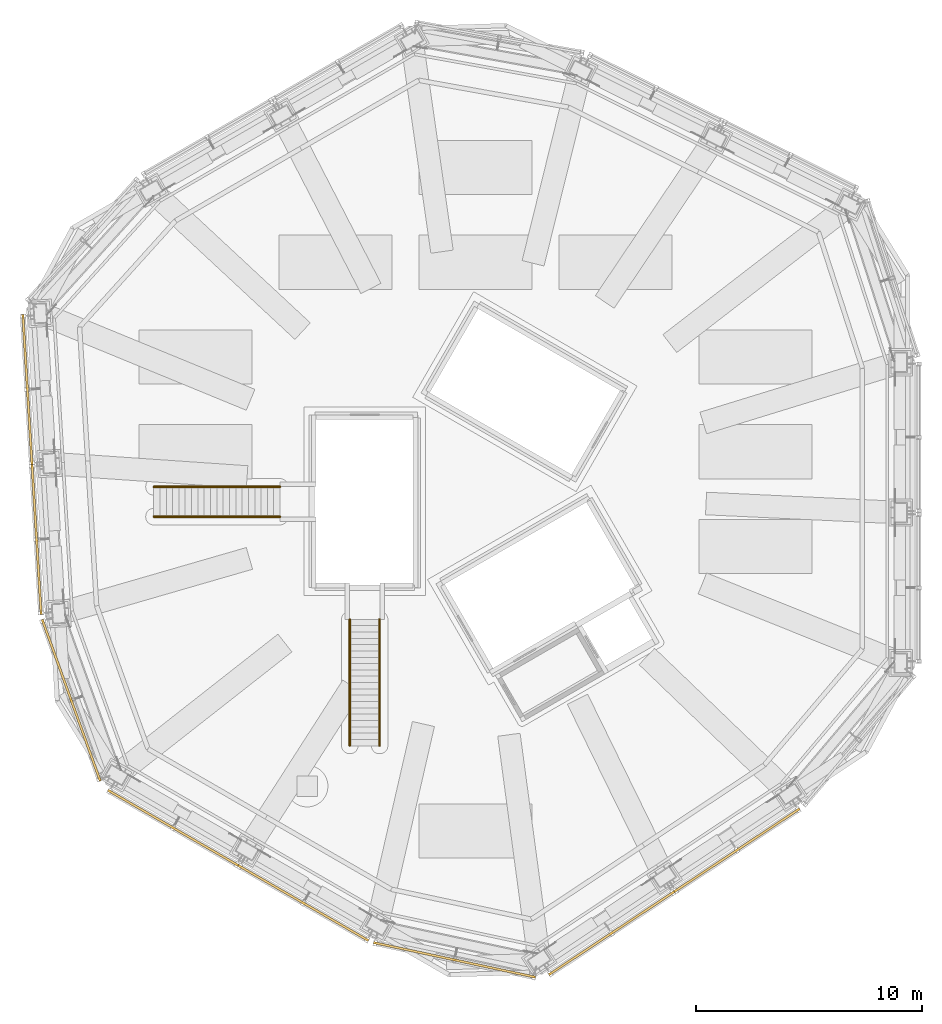
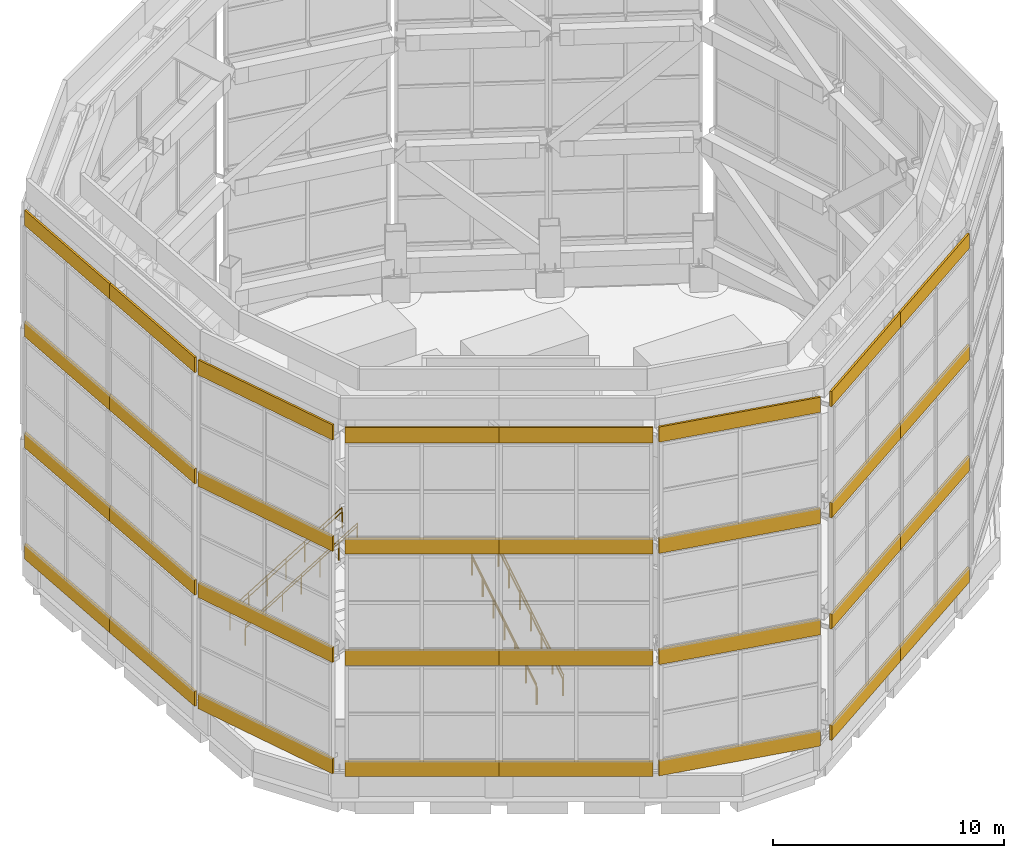
# One storey, part 44 of 46: 32 coverings, 8 railings.
"""IFC4 building model written with IfcOpenShell, lengths in metres."""

from ifc_helpers import new_model, si_unit, direction, frame, origin, origin_2d, place, context, subcontext, project, spatial, rectangle, circle, extrude, material, layer, layer_set, type_object, element, save


model = new_model("IFC4")

# Units and contexts
model_context = context("Model", 3, precision=1e-05, world=origin(), true_north=direction((0.0, 1.0)))
body_context = subcontext(model_context, "Body", "Model", "MODEL_VIEW")
ifc_project = project(units=[si_unit("LENGTHUNIT", "METRE"), si_unit("AREAUNIT", "SQUARE_METRE"), si_unit("VOLUMEUNIT", "CUBIC_METRE"), si_unit("PLANEANGLEUNIT", "RADIAN"), si_unit("MASSUNIT", "GRAM", prefix="KILO")], contexts=[model_context])

# Site, building, storey
site_placement = place(None, origin())
site = spatial("IfcSite", under=ifc_project, at=site_placement, CompositionType="ELEMENT")
building_placement = place(site_placement, origin())
building = spatial("IfcBuilding", under=site, at=building_placement, Name="Vanh Sen Convention Tower", CompositionType="ELEMENT")
storey_placement = place(building_placement, frame((0.0, 0.0, 305.0)))
storey = spatial("IfcBuildingStorey", under=building, at=storey_placement, Name="Roof level", CompositionType="ELEMENT", Elevation=305.0)

# Coverings
ifc_material_1 = material(Name="Concrete C50/60", Category="concrete")
ifc_layer = layer(ifc_material_1, 0.10009765625)
ifc_layer_set = layer_set([ifc_layer], Name="Concrete C50/60")
covering_type = type_object("IfcCoveringType", Name="Ring beam cladding 100", PredefinedType="CLADDING", material=ifc_layer_set)
for number, where, z_axis, x_axis, name in (
    (1, (-19.891357421875, 4.573974609375, 1.34521484375), (0.0, 0.0, 1.0), (0.061050281609, -0.998134691871, 0.0), "Ring beam cladding 10 ring 1"),
    (2, (-19.891357421875, 4.573974609375, 7.21337890625), (0.0, 0.0, 1.0), (0.061050281609, -0.998134691871, 0.0), "Ring beam cladding 10 ring 2"),
    (3, (-19.891357421875, 4.573974609375, 13.08154296875), (0.0, 0.0, 1.0), (0.061050281609, -0.998134691871, 0.0), "Ring beam cladding 10 ring 3"),
    (4, (-19.891357421875, 4.573974609375, 18.9501953125), (0.0, 0.0, 1.0), (0.061050281609, -0.998134691871, 0.0), "Ring beam cladding 10 ring 4"),
):
    element("IfcCovering", number, at=place(storey_placement, frame(where, z_axis=z_axis, x_axis=x_axis)), inside=storey, type_object=covering_type, Name=name, PredefinedType="CLADDING", context=body_context, shape_type="SweptSolid", body=[
        extrude(rectangle(XDim=6.663330078125, YDim=0.10009765625, at=origin_2d()), origin(), (0.0, 0.0, 1.0), 0.800048828125),
    ])
for number, where, z_axis, x_axis, name in (
    (5, (-19.484619140625, -2.076904296875, 1.34521484375), (0.0, 0.0, 1.0), (0.061052023682, -0.998134585316, 0.0), "Ring beam cladding 11 ring 1"),
    (6, (-19.484619140625, -2.076904296875, 7.21337890625), (0.0, 0.0, 1.0), (0.061052023682, -0.998134585316, 0.0), "Ring beam cladding 11 ring 2"),
    (7, (-19.484619140625, -2.076904296875, 13.08154296875), (0.0, 0.0, 1.0), (0.061052023682, -0.998134585316, 0.0), "Ring beam cladding 11 ring 3"),
    (8, (-19.484619140625, -2.076904296875, 18.9501953125), (0.0, 0.0, 1.0), (0.061052023682, -0.998134585316, 0.0), "Ring beam cladding 11 ring 4"),
):
    element("IfcCovering", number, at=place(storey_placement, frame(where, z_axis=z_axis, x_axis=x_axis)), inside=storey, type_object=covering_type, Name=name, PredefinedType="CLADDING", context=body_context, shape_type="SweptSolid", body=[
        extrude(rectangle(XDim=6.6630859375, YDim=0.10009765625, at=origin_2d()), origin(), (0.0, 0.0, 1.0), 0.800048828125),
    ])
for number, where, z_axis, x_axis, name in (
    (9, (-17.950927734375, -9.193603515625, 1.34521484375), (0.0, 0.0, 1.0), (0.338348702503, -0.941020805038, 0.0), "Ring beam cladding 12 ring 1"),
    (10, (-17.950927734375, -9.193603515625, 7.21337890625), (0.0, 0.0, 1.0), (0.338348702503, -0.941020805038, 0.0), "Ring beam cladding 12 ring 2"),
    (11, (-17.950927734375, -9.193603515625, 13.08154296875), (0.0, 0.0, 1.0), (0.338348702503, -0.941020805038, 0.0), "Ring beam cladding 12 ring 3"),
    (12, (-17.950927734375, -9.193603515625, 18.9501953125), (0.0, 0.0, 1.0), (0.338348702503, -0.941020805038, 0.0), "Ring beam cladding 12 ring 4"),
):
    element("IfcCovering", number, at=place(storey_placement, frame(where, z_axis=z_axis, x_axis=x_axis)), inside=storey, type_object=covering_type, Name=name, PredefinedType="CLADDING", context=body_context, shape_type="SweptSolid", body=[
        extrude(rectangle(XDim=7.601318359375, YDim=0.10009765625, at=origin_2d()), origin(), (0.0, 0.0, 1.0), 0.800048828125),
    ])
for number, where, z_axis, x_axis, name in (
    (13, (-13.43798828125, -14.844970703125, 1.34521484375), (0.0, 0.0, 1.0), (0.866022785779, -0.500004534492, 0.0), "Ring beam cladding 13 ring 1"),
    (14, (-13.43798828125, -14.844970703125, 7.21337890625), (0.0, 0.0, 1.0), (0.866022785779, -0.500004534492, 0.0), "Ring beam cladding 13 ring 2"),
    (15, (-13.43798828125, -14.844970703125, 13.08154296875), (0.0, 0.0, 1.0), (0.866022785779, -0.500004534492, 0.0), "Ring beam cladding 13 ring 3"),
    (16, (-13.43798828125, -14.844970703125, 18.9501953125), (0.0, 0.0, 1.0), (0.866022785779, -0.500004534492, 0.0), "Ring beam cladding 13 ring 4"),
    (17, (-7.667236328125, -18.176513671875, 1.34521484375), (0.0, 0.0, 1.0), (0.866028894422, -0.49999395399, 0.0), "Ring beam cladding 14 ring 1"),
    (18, (-7.667236328125, -18.176513671875, 7.21337890625), (0.0, 0.0, 1.0), (0.866028894422, -0.49999395399, 0.0), "Ring beam cladding 14 ring 2"),
    (19, (-7.667236328125, -18.176513671875, 13.08154296875), (0.0, 0.0, 1.0), (0.866028894422, -0.49999395399, 0.0), "Ring beam cladding 14 ring 3"),
    (20, (-7.667236328125, -18.176513671875, 18.9501953125), (0.0, 0.0, 1.0), (0.866028894422, -0.49999395399, 0.0), "Ring beam cladding 14 ring 4"),
):
    element("IfcCovering", number, at=place(storey_placement, frame(where, z_axis=z_axis, x_axis=x_axis)), inside=storey, type_object=covering_type, Name=name, PredefinedType="CLADDING", context=body_context, shape_type="SweptSolid", body=[
        extrude(rectangle(XDim=6.663330078125, YDim=0.10009765625, at=origin_2d()), origin(), (0.0, 0.0, 1.0), 0.800048828125),
    ])
for number, where, z_axis, x_axis, name in (
    (21, (-0.97021484375, -20.6962890625, 1.34521484375), (0.0, 0.0, 1.0), (0.977865113196, -0.209236278869, 0.0), "Ring beam cladding 15 ring 1"),
    (22, (-0.97021484375, -20.6962890625, 7.21337890625), (0.0, 0.0, 1.0), (0.977865113196, -0.209236278869, 0.0), "Ring beam cladding 15 ring 2"),
    (23, (-0.97021484375, -20.6962890625, 13.08154296875), (0.0, 0.0, 1.0), (0.977865113196, -0.209236278869, 0.0), "Ring beam cladding 15 ring 3"),
    (24, (-0.97021484375, -20.6962890625, 18.9501953125), (0.0, 0.0, 1.0), (0.977865113196, -0.209236278869, 0.0), "Ring beam cladding 15 ring 4"),
):
    element("IfcCovering", number, at=place(storey_placement, frame(where, z_axis=z_axis, x_axis=x_axis)), inside=storey, type_object=covering_type, Name=name, PredefinedType="CLADDING", context=body_context, shape_type="SweptSolid", body=[
        extrude(rectangle(XDim=7.335205078125, YDim=0.10009765625, at=origin_2d()), origin(), (0.0, 0.0, 1.0), 0.800048828125),
    ])
for number, where, z_axis, x_axis, name in (
    (25, (5.984375, -19.513427734375, 1.34521484375), (0.0, 0.0, 1.0), (0.833890638594, 0.551929708264, 0.0), "Ring beam cladding 16 ring 1"),
    (26, (5.984375, -19.513427734375, 7.21337890625), (0.0, 0.0, 1.0), (0.833890638594, 0.551929708264, 0.0), "Ring beam cladding 16 ring 2"),
    (27, (5.984375, -19.513427734375, 13.08154296875), (0.0, 0.0, 1.0), (0.833890638594, 0.551929708264, 0.0), "Ring beam cladding 16 ring 3"),
    (28, (5.984375, -19.513427734375, 18.9501953125), (0.0, 0.0, 1.0), (0.833890638594, 0.551929708264, 0.0), "Ring beam cladding 16 ring 4"),
    (29, (11.541015625, -15.835693359375, 1.34521484375), (0.0, 0.0, 1.0), (0.833885822067, 0.551936985312, 0.0), "Ring beam cladding 17 ring 1"),
    (30, (11.541015625, -15.835693359375, 7.21337890625), (0.0, 0.0, 1.0), (0.833885822067, 0.551936985312, 0.0), "Ring beam cladding 17 ring 2"),
    (31, (11.541015625, -15.835693359375, 13.08154296875), (0.0, 0.0, 1.0), (0.833885822067, 0.551936985312, 0.0), "Ring beam cladding 17 ring 3"),
    (32, (11.541015625, -15.835693359375, 18.9501953125), (0.0, 0.0, 1.0), (0.833885822067, 0.551936985312, 0.0), "Ring beam cladding 17 ring 4"),
):
    element("IfcCovering", number, at=place(storey_placement, frame(where, z_axis=z_axis, x_axis=x_axis)), inside=storey, type_object=covering_type, Name=name, PredefinedType="CLADDING", context=body_context, shape_type="SweptSolid", body=[
        extrude(rectangle(XDim=6.663330078125, YDim=0.10009765625, at=origin_2d()), origin(), (0.0, 0.0, 1.0), 0.800048828125),
    ])

# Railings
ifc_material_2 = material(Name="Stainless steel handrail", Category="steel")
railing_type_1 = type_object("IfcRailingType", Name="Stair guard 1100", PredefinedType="GUARDRAIL", material=ifc_material_2)
for number, where, name in (
    (33, (-14.300048828125, 0.27490234375, 0.17138671875), "Stair guard RS1 left"),
    (34, (-14.300048828125, -1.074951171875, 0.17138671875), "Stair guard RS1 right"),
):
    element("IfcRailing", number, at=place(storey_placement, frame(where)), inside=storey, type_object=railing_type_1, Name=name, PredefinedType="GUARDRAIL", context=body_context, shape_type="SweptSolid", body=[
        extrude(circle(Radius=0.02392578125, at=origin_2d()), frame((0.0, 0.0, 1.076171875), z_axis=(0.852845897599, 0.0, 0.522162690116), x_axis=(0.0, 1.0, 0.0)), (0.0, 0.0, 1.0), 6.56640625),
        extrude(circle(Radius=0.02099609375, at=origin_2d()), origin(), (0.0, 0.0, 1.0), 1.052001953125),
        extrude(circle(Radius=0.02099609375, at=origin_2d()), frame((0.933349609375, 0.0, 0.571533203125)), (0.0, 0.0, 1.0), 1.052001953125),
        extrude(circle(Radius=0.02099609375, at=origin_2d()), frame((1.86669921875, 0.0, 1.142822265625)), (0.0, 0.0, 1.0), 1.052001953125),
        extrude(circle(Radius=0.02099609375, at=origin_2d()), frame((2.800048828125, 0.0, 1.71435546875)), (0.0, 0.0, 1.0), 1.052001953125),
        extrude(circle(Radius=0.02099609375, at=origin_2d()), frame((3.7333984375, 0.0, 2.285888671875)), (0.0, 0.0, 1.0), 1.052001953125),
        extrude(circle(Radius=0.02099609375, at=origin_2d()), frame((4.666748046875, 0.0, 2.857177734375)), (0.0, 0.0, 1.0), 1.052001953125),
        extrude(circle(Radius=0.02099609375, at=origin_2d()), frame((5.60009765625, 0.0, 3.4287109375)), (0.0, 0.0, 1.0), 1.052001953125),
    ])
for number, where, name in (
    (35, (-4.27490234375, -11.2099609375, 0.17138671875), "Stair guard RS2 left"),
    (36, (-5.625, -11.2099609375, 0.17138671875), "Stair guard RS2 right"),
):
    element("IfcRailing", number, at=place(storey_placement, frame(where)), inside=storey, type_object=railing_type_1, Name=name, PredefinedType="GUARDRAIL", context=body_context, shape_type="SweptSolid", body=[
        extrude(circle(Radius=0.02392578125, at=origin_2d()), frame((0.0, 0.0, 1.076171875), z_axis=(0.0, 0.852835759714, 0.522179247915), x_axis=(-1.0, 0.0, 0.0)), (0.0, 0.0, 1.0), 6.566162109375),
        extrude(circle(Radius=0.02099609375, at=origin_2d()), origin(), (0.0, 0.0, 1.0), 1.052001953125),
        extrude(circle(Radius=0.02099609375, at=origin_2d()), frame((0.0, 0.933349609375, 0.571533203125)), (0.0, 0.0, 1.0), 1.052001953125),
        extrude(circle(Radius=0.02099609375, at=origin_2d()), frame((0.0, 1.86669921875, 1.142822265625)), (0.0, 0.0, 1.0), 1.052001953125),
        extrude(circle(Radius=0.02099609375, at=origin_2d()), frame((0.0, 2.7998046875, 1.71435546875)), (0.0, 0.0, 1.0), 1.052001953125),
        extrude(circle(Radius=0.02099609375, at=origin_2d()), frame((0.0, 3.733154296875, 2.285888671875)), (0.0, 0.0, 1.0), 1.052001953125),
        extrude(circle(Radius=0.02099609375, at=origin_2d()), frame((0.0, 4.66650390625, 2.857177734375)), (0.0, 0.0, 1.0), 1.052001953125),
        extrude(circle(Radius=0.02099609375, at=origin_2d()), frame((0.0, 5.599853515625, 3.4287109375)), (0.0, 0.0, 1.0), 1.052001953125),
    ])
railing_type_2 = type_object("IfcRailingType", Name="Stair handrail 900", PredefinedType="HANDRAIL", material=ifc_material_2)
for number, where, name in (
    (37, (-14.300048828125, 0.2451171875, 0.17138671875), "Stair handrail RS1 left"),
    (38, (-14.300048828125, -1.044921875, 0.17138671875), "Stair handrail RS1 right"),
):
    element("IfcRailing", number, at=place(storey_placement, frame(where)), inside=storey, type_object=railing_type_2, Name=name, PredefinedType="HANDRAIL", context=body_context, shape_type="SweptSolid", body=[
        extrude(circle(Radius=0.02392578125, at=origin_2d()), frame((0.0, 0.0, 0.8759765625), z_axis=(0.852845897599, 0.0, 0.522162690116), x_axis=(0.0, 1.0, 0.0)), (0.0, 0.0, 1.0), 6.56640625),
        extrude(circle(Radius=0.02099609375, at=origin_2d()), origin(), (0.0, 0.0, 1.0), 0.851806640625),
        extrude(circle(Radius=0.02099609375, at=origin_2d()), frame((0.933349609375, 0.0, 0.571533203125)), (0.0, 0.0, 1.0), 0.851806640625),
        extrude(circle(Radius=0.02099609375, at=origin_2d()), frame((1.86669921875, 0.0, 1.142822265625)), (0.0, 0.0, 1.0), 0.851806640625),
        extrude(circle(Radius=0.02099609375, at=origin_2d()), frame((2.800048828125, 0.0, 1.71435546875)), (0.0, 0.0, 1.0), 0.851806640625),
        extrude(circle(Radius=0.02099609375, at=origin_2d()), frame((3.7333984375, 0.0, 2.285888671875)), (0.0, 0.0, 1.0), 0.851806640625),
        extrude(circle(Radius=0.02099609375, at=origin_2d()), frame((4.666748046875, 0.0, 2.857177734375)), (0.0, 0.0, 1.0), 0.851806640625),
        extrude(circle(Radius=0.02099609375, at=origin_2d()), frame((5.60009765625, 0.0, 3.4287109375)), (0.0, 0.0, 1.0), 0.851806640625),
    ])
for number, where, name in (
    (39, (-4.304931640625, -11.2099609375, 0.17138671875), "Stair handrail RS2 left"),
    (40, (-5.594970703125, -11.2099609375, 0.17138671875), "Stair handrail RS2 right"),
):
    element("IfcRailing", number, at=place(storey_placement, frame(where)), inside=storey, type_object=railing_type_2, Name=name, PredefinedType="HANDRAIL", context=body_context, shape_type="SweptSolid", body=[
        extrude(circle(Radius=0.02392578125, at=origin_2d()), frame((0.0, 0.0, 0.8759765625), z_axis=(0.0, 0.852835759714, 0.522179247915), x_axis=(-1.0, 0.0, 0.0)), (0.0, 0.0, 1.0), 6.566162109375),
        extrude(circle(Radius=0.02099609375, at=origin_2d()), origin(), (0.0, 0.0, 1.0), 0.851806640625),
        extrude(circle(Radius=0.02099609375, at=origin_2d()), frame((0.0, 0.933349609375, 0.571533203125)), (0.0, 0.0, 1.0), 0.851806640625),
        extrude(circle(Radius=0.02099609375, at=origin_2d()), frame((0.0, 1.86669921875, 1.142822265625)), (0.0, 0.0, 1.0), 0.851806640625),
        extrude(circle(Radius=0.02099609375, at=origin_2d()), frame((0.0, 2.7998046875, 1.71435546875)), (0.0, 0.0, 1.0), 0.851806640625),
        extrude(circle(Radius=0.02099609375, at=origin_2d()), frame((0.0, 3.733154296875, 2.285888671875)), (0.0, 0.0, 1.0), 0.851806640625),
        extrude(circle(Radius=0.02099609375, at=origin_2d()), frame((0.0, 4.66650390625, 2.857177734375)), (0.0, 0.0, 1.0), 0.851806640625),
        extrude(circle(Radius=0.02099609375, at=origin_2d()), frame((0.0, 5.599853515625, 3.4287109375)), (0.0, 0.0, 1.0), 0.851806640625),
    ])

save(model, "model.ifc")
